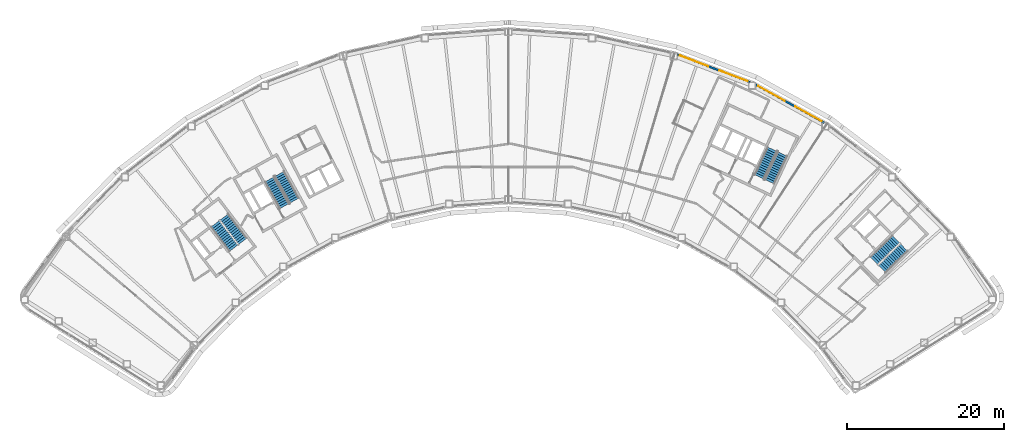
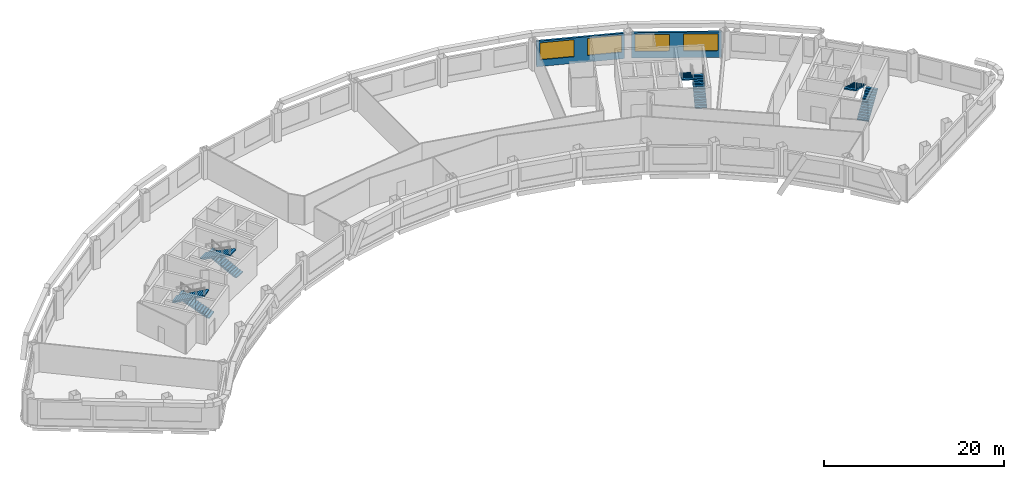
# One storey, part 10 of 12: 8 stair flights, 4 windows, 2 walls, 4 openings, 4 elements without a shape of their own.
"""IFC4 building model written with IfcOpenShell, lengths in metres."""

from ifc_helpers import new_model, si_unit, direction, frame, frame_2d, origin, place, context, subcontext, project, spatial, polyline, rectangle, outline, extrude, material, layer, layer_set, type_object, element, fill, aggregate, save


model = new_model("IFC4")

# Units and contexts
model_context = context("Model", 3, precision=1e-05, world=origin(), true_north=direction((0.0, 1.0)))
body_context = subcontext(model_context, "Body", "Model", "MODEL_VIEW")
ifc_project = project(units=[si_unit("LENGTHUNIT", "METRE"), si_unit("AREAUNIT", "SQUARE_METRE"), si_unit("VOLUMEUNIT", "CUBIC_METRE"), si_unit("PLANEANGLEUNIT", "RADIAN"), si_unit("MASSUNIT", "GRAM", prefix="KILO")], contexts=[model_context])

# Site, building, storey
site_placement = place(None, origin())
site = spatial("IfcSite", under=ifc_project, at=site_placement, CompositionType="ELEMENT")
building_placement = place(site_placement, origin())
building = spatial("IfcBuilding", under=site, at=building_placement, Name="Tuul Gate Civic Tower", CompositionType="ELEMENT")
storey_placement = place(building_placement, frame((0.0, 0.0, 193.10009765625)))
storey = spatial("IfcBuildingStorey", under=building, at=storey_placement, Name="Level 44", CompositionType="ELEMENT", Elevation=193.10009765625)

# Wall, openings, windows
ifc_material_1 = material(Name="Precast concrete C40/50", Category="concrete")
ifc_layer = layer(ifc_material_1, 0.25)
ifc_layer_set = layer_set([ifc_layer], Name="Precast concrete C40/50")
wall_type = type_object("IfcWallType", Name="External wall", PredefinedType="STANDARD", material=ifc_layer_set)
wall_1_placement = place(storey_placement, frame((41.251220703125, 2.04296875, 0.0), z_axis=(0.0, 0.0, 1.0), x_axis=(-0.874633566806, 0.484784615903, 0.0)))
wall_1 = element("IfcWall", 1, at=wall_1_placement, inside=storey, type_object=wall_type, Name="External wall", PredefinedType="STANDARD", context=body_context, shape_type="SweptSolid", body=[
    extrude(rectangle(XDim=10.001220703125, YDim=0.25, at=frame_2d((5.00048828125, 0.0))), origin(), (0.0, 0.0, 1.0), 3.449951171875),
])
opening_1_placement = place(wall_1_placement, frame((0.38671875, 0.0, 0.89990234375)))
opening_1 = element("IfcOpeningElement", 2, at=opening_1_placement, cuts=wall_1, Name="Opening W22", PredefinedType="OPENING", context=body_context, shape_type="SweptSolid", body=[
    extrude(rectangle(XDim=3.85009765625, YDim=2.300048828125, at=frame_2d((1.925048828125, 1.14990234375))), frame((0.0, 0.135009765625, 0.0), z_axis=(0.0, -1.0, 0.0), x_axis=(1.0, 0.0, 0.0)), (0.0, 0.0, 1.0), 0.27001953125),
])
opening_2_placement = place(wall_1_placement, frame((5.758056640625, 0.0, 0.89990234375)))
opening_2 = element("IfcOpeningElement", 3, at=opening_2_placement, cuts=wall_1, Name="Opening W22", PredefinedType="OPENING", context=body_context, shape_type="SweptSolid", body=[
    extrude(rectangle(XDim=3.85009765625, YDim=2.300048828125, at=frame_2d((1.925048828125, 1.14990234375))), frame((0.0, 0.135009765625, 0.0), z_axis=(0.0, -1.0, 0.0), x_axis=(1.0, 0.0, 0.0)), (0.0, 0.0, 1.0), 0.27001953125),
])
ifc_material_2 = material(Name="Glass", Category="glass")
window_type = type_object("IfcWindowType", Name="Window W22 3850 x 2300", PartitioningType="SINGLE_PANEL", PredefinedType="WINDOW", material=ifc_material_2)
window_1_placement = place(opening_1_placement, origin())
window_1 = element("IfcWindow", 4, at=window_1_placement, inside=storey, type_object=window_type, Name="Window", OverallHeight=2.300048828125, OverallWidth=3.85009765625, PartitioningType="SINGLE_PANEL", PredefinedType="WINDOW", context=body_context, shape_type="SweptSolid", body=[
    extrude(rectangle(XDim=3.85009765625, YDim=2.300048828125, at=frame_2d((1.925048828125, 1.14990234375))), frame((0.0, 0.030029296875, 0.0), z_axis=(0.0, -1.0, 0.0), x_axis=(1.0, 0.0, 0.0)), (0.0, 0.0, 1.0), 0.06005859375),
])
fill(opening_1, window_1)
window_2_placement = place(opening_2_placement, origin())
window_2 = element("IfcWindow", 5, at=window_2_placement, inside=storey, type_object=window_type, Name="Window", OverallHeight=2.300048828125, OverallWidth=3.85009765625, PartitioningType="SINGLE_PANEL", PredefinedType="WINDOW", context=body_context, shape_type="SweptSolid", body=[
    extrude(rectangle(XDim=3.85009765625, YDim=2.300048828125, at=frame_2d((1.925048828125, 1.14990234375))), frame((0.0, 0.030029296875, 0.0), z_axis=(0.0, -1.0, 0.0), x_axis=(1.0, 0.0, 0.0)), (0.0, 0.0, 1.0), 0.06005859375),
])
fill(opening_2, window_2)

wall_2_placement = place(storey_placement, frame((31.78125, 7.219970703125, 0.0), z_axis=(0.0, 0.0, 1.0), x_axis=(-0.935342915264, 0.353742322694, 0.0)))
wall_2 = element("IfcWall", 6, at=wall_2_placement, inside=storey, type_object=wall_type, Name="External wall", PredefinedType="STANDARD", context=body_context, shape_type="SweptSolid", body=[
    extrude(rectangle(XDim=9.904541015625, YDim=0.25, at=frame_2d((4.9521484375, 0.0))), origin(), (0.0, 0.0, 1.0), 3.449951171875),
])
opening_3_placement = place(wall_2_placement, frame((0.314208984375, 0.0, 0.89990234375)))
opening_3 = element("IfcOpeningElement", 7, at=opening_3_placement, cuts=wall_2, Name="Opening W22", PredefinedType="OPENING", context=body_context, shape_type="SweptSolid", body=[
    extrude(rectangle(XDim=3.85009765625, YDim=2.300048828125, at=frame_2d((1.925048828125, 1.14990234375))), frame((0.0, 0.135009765625, 0.0), z_axis=(0.0, -1.0, 0.0), x_axis=(1.0, 0.0, 0.0)), (0.0, 0.0, 1.0), 0.27001953125),
])
opening_4_placement = place(wall_2_placement, frame((5.685546875, 0.0, 0.89990234375)))
opening_4 = element("IfcOpeningElement", 8, at=opening_4_placement, cuts=wall_2, Name="Opening W22", PredefinedType="OPENING", context=body_context, shape_type="SweptSolid", body=[
    extrude(rectangle(XDim=3.85009765625, YDim=2.300048828125, at=frame_2d((1.925048828125, 1.14990234375))), frame((0.0, 0.135009765625, 0.0), z_axis=(0.0, -1.0, 0.0), x_axis=(1.0, 0.0, 0.0)), (0.0, 0.0, 1.0), 0.27001953125),
])
window_3_placement = place(opening_3_placement, origin())
window_3 = element("IfcWindow", 9, at=window_3_placement, inside=storey, type_object=window_type, Name="Window", OverallHeight=2.300048828125, OverallWidth=3.85009765625, PartitioningType="SINGLE_PANEL", PredefinedType="WINDOW", context=body_context, shape_type="SweptSolid", body=[
    extrude(rectangle(XDim=3.85009765625, YDim=2.300048828125, at=frame_2d((1.925048828125, 1.14990234375))), frame((0.0, 0.030029296875, 0.0), z_axis=(0.0, -1.0, 0.0), x_axis=(1.0, 0.0, 0.0)), (0.0, 0.0, 1.0), 0.06005859375),
])
fill(opening_3, window_3)
window_4_placement = place(opening_4_placement, origin())
window_4 = element("IfcWindow", 10, at=window_4_placement, inside=storey, type_object=window_type, Name="Window", OverallHeight=2.300048828125, OverallWidth=3.85009765625, PartitioningType="SINGLE_PANEL", PredefinedType="WINDOW", context=body_context, shape_type="SweptSolid", body=[
    extrude(rectangle(XDim=3.85009765625, YDim=2.300048828125, at=frame_2d((1.925048828125, 1.14990234375))), frame((0.0, 0.030029296875, 0.0), z_axis=(0.0, -1.0, 0.0), x_axis=(1.0, 0.0, 0.0)), (0.0, 0.0, 1.0), 0.06005859375),
])
fill(opening_4, window_4)

# Stair, stair flights
ifc_material_3 = material(Name="Concrete C40/50", Category="concrete")
stair_type = type_object("IfcStairType", Name="Exit stair", PredefinedType="HALF_TURN_STAIR", material=ifc_material_3)
stair_1_placement = place(storey_placement, origin())
stair_1 = element("IfcStair", 11, at=stair_1_placement, inside=storey, type_object=stair_type, Name="Level 44 ST-1", PredefinedType="HALF_TURN_STAIR")
ifc_material_4 = material(Name="Concrete C40/50", Category="concrete")
stair_flight_type = type_object("IfcStairFlightType", Name="Exit stair flight", PredefinedType="STRAIGHT", material=ifc_material_4)
stair_flight_1_placement = place(storey_placement, frame((-32.875244140625, -13.066650390625, 0.0), z_axis=(0.0, 0.0, 1.0), x_axis=(-0.605764474941, 0.795644016442, 0.0)))
stair_flight_1 = element("IfcStairFlight", 12, at=stair_flight_1_placement, type_object=stair_flight_type, Name="ST-1 flight 1", NumberOfRisers=14, NumberOfTreads=13, PredefinedType="STRAIGHT", RiserHeight=0.15, TreadLength=0.3, context=body_context, shape_type="SweptSolid", body=[
    extrude(outline(polyline([(0.0, 0.0), (0.0, 0.14990234375), (0.300048828125, 0.14990234375), (0.300048828125, 0.300048828125), (0.60009765625, 0.300048828125), (0.60009765625, 0.449951171875), (0.89990234375, 0.449951171875), (0.89990234375, 0.60009765625), (1.199951171875, 0.60009765625), (1.199951171875, 0.75), (1.5, 0.75), (1.5, 0.89990234375), (1.800048828125, 0.89990234375), (1.800048828125, 1.050048828125), (2.10009765625, 1.050048828125), (2.10009765625, 1.199951171875), (2.39990234375, 1.199951171875), (2.39990234375, 1.35009765625), (2.699951171875, 1.35009765625), (2.699951171875, 1.5), (3.0, 1.5), (3.0, 1.64990234375), (3.300048828125, 1.64990234375), (3.300048828125, 1.800048828125), (3.60009765625, 1.800048828125), (3.60009765625, 1.949951171875), (3.89990234375, 1.949951171875), (3.89990234375, 2.10009765625), (3.89990234375, 1.782470703125), (0.335205078125, 0.0), (0.0, 0.0)])), frame((0.0, 0.675048828125, 0.0), z_axis=(0.0, -1.0, 0.0), x_axis=(1.0, 0.0, 0.0)), (0.0, 0.0, 1.0), 1.35009765625),
])
stair_flight_2_placement = place(storey_placement, frame((-36.391357421875, -10.842041015625, 2.099853515625), z_axis=(0.0, 0.0, 1.0), x_axis=(0.605764474941, -0.795644016442, 0.0)))
stair_flight_2 = element("IfcStairFlight", 13, at=stair_flight_2_placement, type_object=stair_flight_type, Name="ST-1 flight 2", NumberOfRisers=14, NumberOfTreads=13, PredefinedType="STRAIGHT", RiserHeight=0.15, TreadLength=0.3, context=body_context, shape_type="SweptSolid", body=[
    extrude(outline(polyline([(0.0, 0.0), (0.0, 0.14990234375), (0.300048828125, 0.14990234375), (0.300048828125, 0.300048828125), (0.60009765625, 0.300048828125), (0.60009765625, 0.449951171875), (0.89990234375, 0.449951171875), (0.89990234375, 0.60009765625), (1.199951171875, 0.60009765625), (1.199951171875, 0.75), (1.5, 0.75), (1.5, 0.89990234375), (1.800048828125, 0.89990234375), (1.800048828125, 1.050048828125), (2.10009765625, 1.050048828125), (2.10009765625, 1.199951171875), (2.39990234375, 1.199951171875), (2.39990234375, 1.35009765625), (2.699951171875, 1.35009765625), (2.699951171875, 1.5), (3.0, 1.5), (3.0, 1.64990234375), (3.300048828125, 1.64990234375), (3.300048828125, 1.800048828125), (3.60009765625, 1.800048828125), (3.60009765625, 1.949951171875), (3.89990234375, 1.949951171875), (3.89990234375, 2.10009765625), (3.89990234375, 1.782470703125), (0.335205078125, 0.0), (0.0, 0.0)])), frame((0.0, 0.675048828125, 0.0), z_axis=(0.0, -1.0, 0.0), x_axis=(1.0, 0.0, 0.0)), (0.0, 0.0, 1.0), 1.35009765625),
])
aggregate(stair_1, [stair_flight_1, stair_flight_2])

stair_2_placement = place(storey_placement, origin())
stair_2 = element("IfcStair", 14, at=stair_2_placement, inside=storey, type_object=stair_type, Name="Level 44 ST-2", PredefinedType="HALF_TURN_STAIR")
stair_flight_3_placement = place(storey_placement, frame((-26.29150390625, -7.87646484375, 0.0), z_axis=(0.0, 0.0, 1.0), x_axis=(-0.484761763766, 0.874646232708, 0.0)))
stair_flight_3 = element("IfcStairFlight", 15, at=stair_flight_3_placement, type_object=stair_flight_type, Name="ST-2 flight 1", NumberOfRisers=14, NumberOfTreads=13, PredefinedType="STRAIGHT", RiserHeight=0.15, TreadLength=0.3, context=body_context, shape_type="SweptSolid", body=[
    extrude(outline(polyline([(0.0, 0.0), (0.0, 0.14990234375), (0.300048828125, 0.14990234375), (0.300048828125, 0.300048828125), (0.60009765625, 0.300048828125), (0.60009765625, 0.449951171875), (0.89990234375, 0.449951171875), (0.89990234375, 0.60009765625), (1.199951171875, 0.60009765625), (1.199951171875, 0.75), (1.5, 0.75), (1.5, 0.89990234375), (1.800048828125, 0.89990234375), (1.800048828125, 1.050048828125), (2.10009765625, 1.050048828125), (2.10009765625, 1.199951171875), (2.39990234375, 1.199951171875), (2.39990234375, 1.35009765625), (2.699951171875, 1.35009765625), (2.699951171875, 1.5), (3.0, 1.5), (3.0, 1.64990234375), (3.300048828125, 1.64990234375), (3.300048828125, 1.800048828125), (3.60009765625, 1.800048828125), (3.60009765625, 1.949951171875), (3.89990234375, 1.949951171875), (3.89990234375, 2.10009765625), (3.89990234375, 1.782470703125), (0.335205078125, 0.0), (0.0, 0.0)])), frame((0.0, 0.675048828125, 0.0), z_axis=(0.0, -1.0, 0.0), x_axis=(1.0, 0.0, 0.0)), (0.0, 0.0, 1.0), 1.35009765625),
])
stair_flight_4_placement = place(storey_placement, frame((-29.450439453125, -5.168212890625, 2.099853515625), z_axis=(0.0, 0.0, 1.0), x_axis=(0.484761763766, -0.874646232708, 0.0)))
stair_flight_4 = element("IfcStairFlight", 16, at=stair_flight_4_placement, type_object=stair_flight_type, Name="ST-2 flight 2", NumberOfRisers=14, NumberOfTreads=13, PredefinedType="STRAIGHT", RiserHeight=0.15, TreadLength=0.3, context=body_context, shape_type="SweptSolid", body=[
    extrude(outline(polyline([(0.0, 0.0), (0.0, 0.14990234375), (0.300048828125, 0.14990234375), (0.300048828125, 0.300048828125), (0.60009765625, 0.300048828125), (0.60009765625, 0.449951171875), (0.89990234375, 0.449951171875), (0.89990234375, 0.60009765625), (1.199951171875, 0.60009765625), (1.199951171875, 0.75), (1.5, 0.75), (1.5, 0.89990234375), (1.800048828125, 0.89990234375), (1.800048828125, 1.050048828125), (2.10009765625, 1.050048828125), (2.10009765625, 1.199951171875), (2.39990234375, 1.199951171875), (2.39990234375, 1.35009765625), (2.699951171875, 1.35009765625), (2.699951171875, 1.5), (3.0, 1.5), (3.0, 1.64990234375), (3.300048828125, 1.64990234375), (3.300048828125, 1.800048828125), (3.60009765625, 1.800048828125), (3.60009765625, 1.949951171875), (3.89990234375, 1.949951171875), (3.89990234375, 2.10009765625), (3.89990234375, 1.782470703125), (0.335205078125, 0.0), (0.0, 0.0)])), frame((0.0, 0.675048828125, 0.0), z_axis=(0.0, -1.0, 0.0), x_axis=(1.0, 0.0, 0.0)), (0.0, 0.0, 1.0), 1.35009765625),
])
aggregate(stair_2, [stair_flight_3, stair_flight_4])

stair_3_placement = place(storey_placement, origin())
stair_3 = element("IfcStair", 17, at=stair_3_placement, inside=storey, type_object=stair_type, Name="Level 44 ST-3", PredefinedType="HALF_TURN_STAIR")
stair_flight_5_placement = place(storey_placement, frame((48.61376953125, -16.581787109375, 0.0), z_axis=(0.0, 0.0, 1.0), x_axis=(0.714127290059, 0.700015866672, 0.0)))
stair_flight_5 = element("IfcStairFlight", 18, at=stair_flight_5_placement, type_object=stair_flight_type, Name="ST-3 flight 1", NumberOfRisers=14, NumberOfTreads=13, PredefinedType="STRAIGHT", RiserHeight=0.15, TreadLength=0.3, context=body_context, shape_type="SweptSolid", body=[
    extrude(outline(polyline([(0.0, 0.0), (0.0, 0.14990234375), (0.300048828125, 0.14990234375), (0.300048828125, 0.300048828125), (0.60009765625, 0.300048828125), (0.60009765625, 0.449951171875), (0.89990234375, 0.449951171875), (0.89990234375, 0.60009765625), (1.199951171875, 0.60009765625), (1.199951171875, 0.75), (1.5, 0.75), (1.5, 0.89990234375), (1.800048828125, 0.89990234375), (1.800048828125, 1.050048828125), (2.10009765625, 1.050048828125), (2.10009765625, 1.199951171875), (2.39990234375, 1.199951171875), (2.39990234375, 1.35009765625), (2.699951171875, 1.35009765625), (2.699951171875, 1.5), (3.0, 1.5), (3.0, 1.64990234375), (3.300048828125, 1.64990234375), (3.300048828125, 1.800048828125), (3.60009765625, 1.800048828125), (3.60009765625, 1.949951171875), (3.89990234375, 1.949951171875), (3.89990234375, 2.10009765625), (3.89990234375, 1.782470703125), (0.335205078125, 0.0), (0.0, 0.0)])), frame((0.0, 0.675048828125, 0.0), z_axis=(0.0, -1.0, 0.0), x_axis=(1.0, 0.0, 0.0)), (0.0, 0.0, 1.0), 1.35009765625),
])
stair_flight_6_placement = place(storey_placement, frame((50.3837890625, -12.816162109375, 2.099853515625), z_axis=(0.0, 0.0, 1.0), x_axis=(-0.714127290059, -0.700015866672, 0.0)))
stair_flight_6 = element("IfcStairFlight", 19, at=stair_flight_6_placement, type_object=stair_flight_type, Name="ST-3 flight 2", NumberOfRisers=14, NumberOfTreads=13, PredefinedType="STRAIGHT", RiserHeight=0.15, TreadLength=0.3, context=body_context, shape_type="SweptSolid", body=[
    extrude(outline(polyline([(0.0, 0.0), (0.0, 0.14990234375), (0.300048828125, 0.14990234375), (0.300048828125, 0.300048828125), (0.60009765625, 0.300048828125), (0.60009765625, 0.449951171875), (0.89990234375, 0.449951171875), (0.89990234375, 0.60009765625), (1.199951171875, 0.60009765625), (1.199951171875, 0.75), (1.5, 0.75), (1.5, 0.89990234375), (1.800048828125, 0.89990234375), (1.800048828125, 1.050048828125), (2.10009765625, 1.050048828125), (2.10009765625, 1.199951171875), (2.39990234375, 1.199951171875), (2.39990234375, 1.35009765625), (2.699951171875, 1.35009765625), (2.699951171875, 1.5), (3.0, 1.5), (3.0, 1.64990234375), (3.300048828125, 1.64990234375), (3.300048828125, 1.800048828125), (3.60009765625, 1.800048828125), (3.60009765625, 1.949951171875), (3.89990234375, 1.949951171875), (3.89990234375, 2.10009765625), (3.89990234375, 1.782470703125), (0.335205078125, 0.0), (0.0, 0.0)])), frame((0.0, 0.675048828125, 0.0), z_axis=(0.0, -1.0, 0.0), x_axis=(1.0, 0.0, 0.0)), (0.0, 0.0, 1.0), 1.35009765625),
])
aggregate(stair_3, [stair_flight_5, stair_flight_6])

stair_4_placement = place(storey_placement, origin())
stair_4 = element("IfcStair", 20, at=stair_4_placement, inside=storey, type_object=stair_type, Name="Level 44 ST-4", PredefinedType="HALF_TURN_STAIR")
stair_flight_7_placement = place(storey_placement, frame((34.278564453125, -5.478515625, 0.0), z_axis=(0.0, 0.0, 1.0), x_axis=(0.422576295988, 0.906327354806, 0.0)))
stair_flight_7 = element("IfcStairFlight", 21, at=stair_flight_7_placement, type_object=stair_flight_type, Name="ST-4 flight 1", NumberOfRisers=14, NumberOfTreads=13, PredefinedType="STRAIGHT", RiserHeight=0.15, TreadLength=0.3, context=body_context, shape_type="SweptSolid", body=[
    extrude(outline(polyline([(0.0, 0.0), (0.0, 0.14990234375), (0.300048828125, 0.14990234375), (0.300048828125, 0.300048828125), (0.60009765625, 0.300048828125), (0.60009765625, 0.449951171875), (0.89990234375, 0.449951171875), (0.89990234375, 0.60009765625), (1.199951171875, 0.60009765625), (1.199951171875, 0.75), (1.5, 0.75), (1.5, 0.89990234375), (1.800048828125, 0.89990234375), (1.800048828125, 1.050048828125), (2.10009765625, 1.050048828125), (2.10009765625, 1.199951171875), (2.39990234375, 1.199951171875), (2.39990234375, 1.35009765625), (2.699951171875, 1.35009765625), (2.699951171875, 1.5), (3.0, 1.5), (3.0, 1.64990234375), (3.300048828125, 1.64990234375), (3.300048828125, 1.800048828125), (3.60009765625, 1.800048828125), (3.60009765625, 1.949951171875), (3.89990234375, 1.949951171875), (3.89990234375, 2.10009765625), (3.89990234375, 1.782470703125), (0.335205078125, 0.0), (0.0, 0.0)])), frame((0.0, 0.675048828125, 0.0), z_axis=(0.0, -1.0, 0.0), x_axis=(1.0, 0.0, 0.0)), (0.0, 0.0, 1.0), 1.35009765625),
])
stair_flight_8_placement = place(storey_placement, frame((34.612548828125, -1.3310546875, 2.099853515625), z_axis=(0.0, 0.0, 1.0), x_axis=(-0.422576295988, -0.906327354806, 0.0)))
stair_flight_8 = element("IfcStairFlight", 22, at=stair_flight_8_placement, type_object=stair_flight_type, Name="ST-4 flight 2", NumberOfRisers=14, NumberOfTreads=13, PredefinedType="STRAIGHT", RiserHeight=0.15, TreadLength=0.3, context=body_context, shape_type="SweptSolid", body=[
    extrude(outline(polyline([(0.0, 0.0), (0.0, 0.14990234375), (0.300048828125, 0.14990234375), (0.300048828125, 0.300048828125), (0.60009765625, 0.300048828125), (0.60009765625, 0.449951171875), (0.89990234375, 0.449951171875), (0.89990234375, 0.60009765625), (1.199951171875, 0.60009765625), (1.199951171875, 0.75), (1.5, 0.75), (1.5, 0.89990234375), (1.800048828125, 0.89990234375), (1.800048828125, 1.050048828125), (2.10009765625, 1.050048828125), (2.10009765625, 1.199951171875), (2.39990234375, 1.199951171875), (2.39990234375, 1.35009765625), (2.699951171875, 1.35009765625), (2.699951171875, 1.5), (3.0, 1.5), (3.0, 1.64990234375), (3.300048828125, 1.64990234375), (3.300048828125, 1.800048828125), (3.60009765625, 1.800048828125), (3.60009765625, 1.949951171875), (3.89990234375, 1.949951171875), (3.89990234375, 2.10009765625), (3.89990234375, 1.782470703125), (0.335205078125, 0.0), (0.0, 0.0)])), frame((0.0, 0.675048828125, 0.0), z_axis=(0.0, -1.0, 0.0), x_axis=(1.0, 0.0, 0.0)), (0.0, 0.0, 1.0), 1.35009765625),
])
aggregate(stair_4, [stair_flight_7, stair_flight_8])

save(model, "model.ifc")
